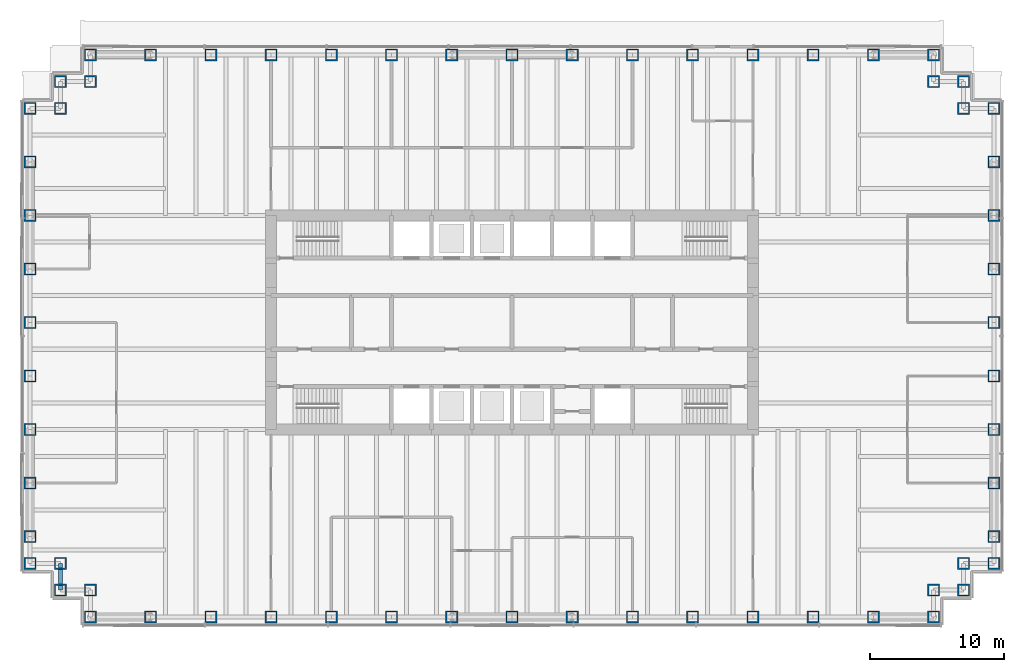
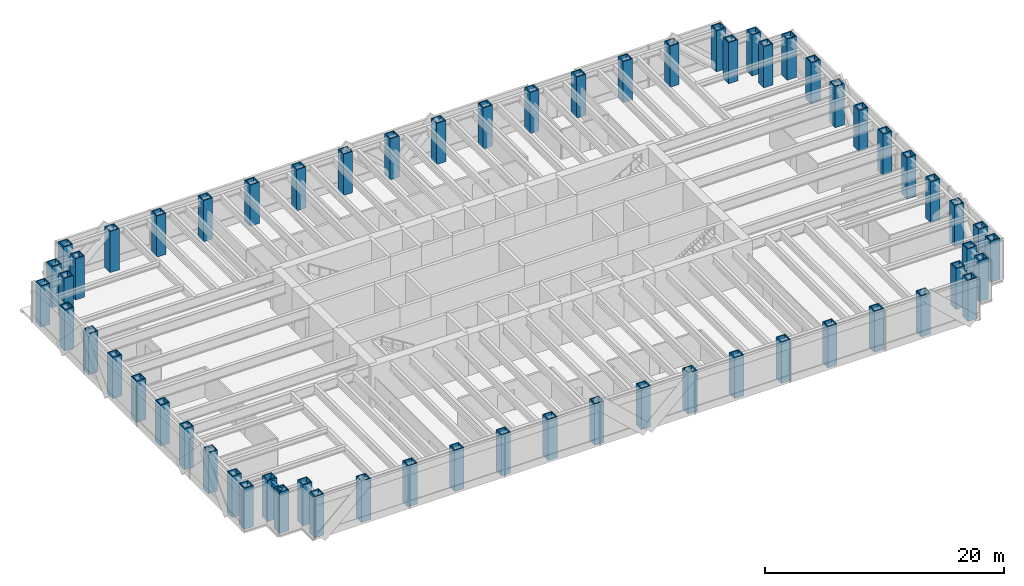
# One storey, part 1 of 14: 62 columns, 1 beam.
"""IFC4 building model written with IfcOpenShell, lengths in metres."""

import ifcopenshell
import ifcopenshell.guid

model = None  # the IFC model being written
_history = None  # IfcOwnerHistory: only IFC2X3 demands one
_inside = {}  # id of a spatial element -> (the spatial element, [elements in it])
_under = {}  # id of a project, library or spatial element -> (it, [spatial elements below it])
_declared = {}  # id of a project -> (the project, [libraries it declares])
_typed = {}  # id of a type object -> (the type object, [elements of that type])
_made_of = {}  # id of a material, layer set ... -> (it, [elements and type objects made of it])


def new_model(schema):
    """Start an empty IFC model of exactly this schema.

    Asked for "IFC4X3", IfcOpenShell would pick the latest addendum, in which some entities
    have other attributes; the version numbers below select the first issue.
    IFC2X3 requires an IfcOwnerHistory on every rooted entity: one is made here for all.
    """
    global model, _history
    if schema == "IFC4X3":
        model = ifcopenshell.file(schema_version=(4, 3, 0, 0))
    else:
        model = ifcopenshell.file(schema=schema)
    _inside.clear()
    _under.clear()
    _declared.clear()
    _typed.clear()
    _made_of.clear()
    _history = None
    if model.schema == "IFC2X3":
        org = make("IfcOrganization", Name="unknown")
        user = make(
            "IfcPersonAndOrganization",
            ThePerson=make("IfcPerson", FamilyName="unknown"),
            TheOrganization=org,
        )
        app = make(
            "IfcApplication",
            ApplicationDeveloper=org,
            Version="unknown",
            ApplicationFullName="unknown",
            ApplicationIdentifier="unknown",
        )
        _history = make(
            "IfcOwnerHistory",
            OwningUser=user,
            OwningApplication=app,
            ChangeAction="ADDED",
            CreationDate=0,
        )
    return model


def make(cls, **values):
    """One entity of the class cls with the attributes given. An attribute that is None is left unset."""
    return model.create_entity(
        cls, **{name: value for name, value in values.items() if value is not None}
    )


def rooted(cls, **values):
    """An entity with a GlobalId (a new one), such as an element, a storey or a relation."""
    return make(cls, GlobalId=ifcopenshell.guid.new(), OwnerHistory=_history, **values)


def si_unit(unit_type, name, prefix=None):
    """IfcSIUnit, for example si_unit("LENGTHUNIT", "METRE", prefix="MILLI")."""
    return make("IfcSIUnit", UnitType=unit_type, Prefix=prefix, Name=name)


def assignment(units):
    """IfcUnitAssignment: the units of a project."""
    return None if units is None else make("IfcUnitAssignment", Units=units)


def point(xyz):
    """IfcCartesianPoint."""
    return None if xyz is None else make("IfcCartesianPoint", Coordinates=xyz)


def direction(xyz):
    """IfcDirection."""
    return None if xyz is None else make("IfcDirection", DirectionRatios=xyz)


def frame(location, z_axis=None, x_axis=None):
    """IfcAxis2Placement3D, a coordinate frame: its origin and axes. An axis left out is left unset."""
    return make(
        "IfcAxis2Placement3D",
        Location=point(location),
        Axis=direction(z_axis),
        RefDirection=direction(x_axis),
    )


def frame_2d(location, x_axis=None):
    """IfcAxis2Placement2D, a coordinate frame in the plane: its origin and x axis."""
    return make(
        "IfcAxis2Placement2D", Location=point(location), RefDirection=direction(x_axis)
    )


def origin():
    """The frame at (0, 0, 0) with its axes left unset."""
    return frame((0.0, 0.0, 0.0))


def origin_2d():
    """The frame at (0, 0) in the plane with its x axis left unset."""
    return frame_2d((0.0, 0.0))


def place(relative_to, where):
    """IfcLocalPlacement: puts the frame where relative to a parent placement (None: the world)."""
    return make(
        "IfcLocalPlacement", PlacementRelTo=relative_to, RelativePlacement=where
    )


def context(
    kind, dimensions, precision=None, world=None, true_north=None, identifier=None
):
    """IfcGeometricRepresentationContext, for example the 3D "Model" context."""
    return make(
        "IfcGeometricRepresentationContext",
        ContextIdentifier=identifier,
        ContextType=kind,
        CoordinateSpaceDimension=dimensions,
        Precision=precision,
        WorldCoordinateSystem=world,
        TrueNorth=true_north,
    )


def subcontext(parent, identifier, kind, view, scale=None):
    """IfcGeometricRepresentationSubContext, for example "Body" below "Model"."""
    return make(
        "IfcGeometricRepresentationSubContext",
        ContextIdentifier=identifier,
        ContextType=kind,
        ParentContext=parent,
        TargetScale=scale,
        TargetView=view,
    )


def project(units=None, contexts=None):
    """IfcProject with its units and contexts."""
    return rooted(
        "IfcProject",
        Name="project",
        RepresentationContexts=contexts,
        UnitsInContext=assignment(units),
    )


def spatial(cls, under=None, at=None, **own):
    """A site, building, storey or space (cls), placed at a placement, below another one or the project."""
    s = rooted(cls, ObjectPlacement=at, **own)
    if under is not None:
        _under.setdefault(under.id(), (under, []))[1].append(s)
    return s


def profile(cls, at=None, kind="AREA", **sizes):
    """A parametric profile (cls). Its sizes go by their IFC names, for example OverallWidth=200.0."""
    return make(cls, ProfileType=kind, Position=at, **sizes)


def hollow_rectangle(**sizes):
    """IfcRectangleHollowProfileDef."""
    return profile("IfcRectangleHollowProfileDef", **sizes)


def i_section(**sizes):
    """IfcIShapeProfileDef."""
    return profile("IfcIShapeProfileDef", **sizes)


def extrude(swept, where, along, depth):
    """IfcExtrudedAreaSolid: the profile swept, set in the frame where, extruded along a direction by depth."""
    return make(
        "IfcExtrudedAreaSolid",
        SweptArea=swept,
        Position=where,
        ExtrudedDirection=direction(along),
        Depth=depth,
    )


def shape(context_of_items, identifier, shape_type, items):
    """IfcShapeRepresentation: the items that make up one representation, for example the "Body"."""
    return make(
        "IfcShapeRepresentation",
        ContextOfItems=context_of_items,
        RepresentationIdentifier=identifier,
        RepresentationType=shape_type,
        Items=items,
    )


def material(Name=None, Category=None):
    """IfcMaterial."""
    return make("IfcMaterial", Name=Name, Category=Category)


def material_profile(
    of_material, cross_section, Name=None, Category=None, Priority=None
):
    """IfcMaterialProfile: a cross section and its material."""
    return make(
        "IfcMaterialProfile",
        Name=Name,
        Material=of_material,
        Profile=cross_section,
        Priority=Priority,
        Category=Category,
    )


def profile_set(profiles, Name=None, composite=None):
    """IfcMaterialProfileSet."""
    return make(
        "IfcMaterialProfileSet",
        Name=Name,
        MaterialProfiles=profiles,
        CompositeProfile=composite,
    )


def made_of(thing, what):
    """Note that an element or type object is made of a material, layer set ...; save() writes the relation."""
    if what is not None:
        _made_of.setdefault(what.id(), (what, []))[1].append(thing)
    return thing


def type_object(cls, material=None, **own):
    """A type object (cls), such as IfcWallType, which elements share."""
    return made_of(rooted(cls, **own), material)


def element(
    cls,
    number,
    at=None,
    inside=None,
    cuts=None,
    type_object=None,
    material=None,
    context=None,
    identifier="Body",
    shape_type=None,
    held_by="IfcProductDefinitionShape",
    body=None,
    shapes=None,
    **own,
):
    """One element of the class cls, such as IfcWall. Its Tag is "e" and its number.

    at: its placement. inside: the storey or other place that contains it. cuts: it is an
    opening in that element (IfcRelVoidsElement). A single representation is given by context,
    identifier, shape_type and body (its items); several are given by shapes. held_by: the class
    of the entity that holds the representations. save() writes the other relations.
    """
    e = rooted(cls, Tag="e%d" % number, ObjectPlacement=at, **own)
    if body is not None:
        shapes = [shape(context, identifier, shape_type, body)]
    if shapes is not None:
        e.Representation = make(held_by, Representations=shapes)
    if inside is not None:
        _inside.setdefault(inside.id(), (inside, []))[1].append(e)
    if cuts is not None:
        rooted(
            "IfcRelVoidsElement", RelatingBuildingElement=cuts, RelatedOpeningElement=e
        )
    if type_object is not None:
        _typed.setdefault(type_object.id(), (type_object, []))[1].append(e)
    return made_of(e, material)


def aggregate(whole, parts):
    """IfcRelAggregates: a whole, such as a stair, and the parts it consists of."""
    return rooted("IfcRelAggregates", RelatingObject=whole, RelatedObjects=parts)


def save(model, path):
    """Write the relations noted so far, then the file.

    IfcRelAggregates (storeys below a building ...), IfcRelContainedInSpatialStructure (elements
    in a storey), IfcRelDefinesByType, IfcRelAssociatesMaterial and IfcRelDeclares: one each for
    every whole, place, type object, material and project.
    """
    for whole, parts in _under.values():
        aggregate(whole, parts)
    for where, things in _inside.values():
        rooted(
            "IfcRelContainedInSpatialStructure",
            RelatedElements=things,
            RelatingStructure=where,
        )
    for kind, things in _typed.values():
        rooted("IfcRelDefinesByType", RelatedObjects=things, RelatingType=kind)
    for what, things in _made_of.values():
        rooted("IfcRelAssociatesMaterial", RelatedObjects=things, RelatingMaterial=what)
    for by, libraries in _declared.values():
        rooted("IfcRelDeclares", RelatingContext=by, RelatedDefinitions=libraries)
    model.write(path)


model = new_model("IFC4")

# Units and contexts
model_context = context("Model", 3, precision=1e-05, world=origin(), true_north=direction((0.0, 1.0)))
body_context = subcontext(model_context, "Body", "Model", "MODEL_VIEW")
ifc_project = project(units=[si_unit("LENGTHUNIT", "METRE"), si_unit("AREAUNIT", "SQUARE_METRE"), si_unit("VOLUMEUNIT", "CUBIC_METRE"), si_unit("PLANEANGLEUNIT", "RADIAN"), si_unit("MASSUNIT", "GRAM", prefix="KILO")], contexts=[model_context])

# Site, building, storey
site_placement = place(None, origin())
site = spatial("IfcSite", under=ifc_project, at=site_placement, CompositionType="ELEMENT")
building_placement = place(site_placement, origin())
building = spatial("IfcBuilding", under=site, at=building_placement, Name="Rheinbord Bourse Tower", CompositionType="ELEMENT")
storey_placement = place(building_placement, frame((0.0, 0.0, 185.800048828125)))
storey = spatial("IfcBuildingStorey", under=building, at=storey_placement, Name="L41", CompositionType="ELEMENT", Elevation=185.800048828125)

# Columns
ifc_material_1 = material(Name="Steel S460M", Category="steel")
ifc_material_profile_1 = material_profile(ifc_material_1, hollow_rectangle(XDim=0.89990234375, YDim=0.89990234375, WallThickness=0.090087890625, at=origin_2d()), Name="BOX 900x900x90")
ifc_profile_set_1 = profile_set([ifc_material_profile_1], Name="Steel S460M")
column_type = type_object("IfcColumnType", Name="TUBE COLUMN BOX 900x900x90", PredefinedType="COLUMN", material=ifc_profile_set_1)
for number, where, z_axis, x_axis, name in (
    (1, (4.5, 2.0, 0.0), (0.0, 0.0, 1.0), (0.0, 1.0, 0.0), "Column SW-E L41"),
    (2, (9.0, 2.0, 0.0), (0.0, 0.0, 1.0), (0.0, 1.0, 0.0), "Column S-9 L41"),
    (3, (13.5, 2.0, 0.0), (0.0, 0.0, 1.0), (0.0, 1.0, 0.0), "Column S-13.5 L41"),
    (4, (18.0, 2.0, 0.0), (0.0, 0.0, 1.0), (0.0, 1.0, 0.0), "Column S-18 L41"),
    (5, (22.5, 2.0, 0.0), (0.0, 0.0, 1.0), (0.0, 1.0, 0.0), "Column S-22.5 L41"),
    (6, (27.0, 2.0, 0.0), (0.0, 0.0, 1.0), (0.0, 1.0, 0.0), "Column S-27 L41"),
    (7, (31.5, 2.0, 0.0), (0.0, 0.0, 1.0), (0.0, 1.0, 0.0), "Column S-31.5 L41"),
    (8, (36.0, 2.0, 0.0), (0.0, 0.0, 1.0), (0.0, 1.0, 0.0), "Column S-36 L41"),
    (9, (40.5, 2.0, 0.0), (0.0, 0.0, 1.0), (0.0, 1.0, 0.0), "Column S-40.5 L41"),
    (10, (45.0, 2.0, 0.0), (0.0, 0.0, 1.0), (0.0, 1.0, 0.0), "Column S-45 L41"),
    (11, (49.5, 2.0, 0.0), (0.0, 0.0, 1.0), (0.0, 1.0, 0.0), "Column S-49.5 L41"),
    (12, (54.0, 2.0, 0.0), (0.0, 0.0, 1.0), (0.0, 1.0, 0.0), "Column S-54 L41"),
    (13, (58.5, 2.0, 0.0), (0.0, 0.0, 1.0), (0.0, 1.0, 0.0), "Column S-58.5 L41"),
    (14, (63.0, 2.0, 0.0), (0.0, 0.0, 1.0), (0.0, 1.0, 0.0), "Column S-63 L41"),
    (15, (67.5, 2.0, 0.0), (0.0, 0.0, 1.0), (0.0, 1.0, 0.0), "Column SE-E L41"),
    (16, (67.5, 4.0, 0.0), (0.0, 0.0, 1.0), (0.0, 1.0, 0.0), "Column SE-D L41"),
    (17, (69.75, 4.0, 0.0), (0.0, 0.0, 1.0), (1.0, 0.0, 0.0), "Column SE-C L41"),
    (18, (69.75, 6.0, 0.0), (0.0, 0.0, 1.0), (1.0, 0.0, 0.0), "Column SE-B L41"),
    (19, (72.0, 6.0, 0.0), (0.0, 0.0, 1.0), (1.0, 0.0, 0.0), "Column SE-A L41"),
    (20, (72.0, 8.0, 0.0), (0.0, 0.0, 1.0), (1.0, 0.0, 0.0), "Column E-8 L41"),
    (21, (72.0, 12.0, 0.0), (0.0, 0.0, 1.0), (1.0, 0.0, 0.0), "Column E-12 L41"),
    (22, (72.0, 16.0, 0.0), (0.0, 0.0, 1.0), (1.0, 0.0, 0.0), "Column E-16 L41"),
    (23, (72.0, 20.0, 0.0), (0.0, 0.0, 1.0), (1.0, 0.0, 0.0), "Column E-20 L41"),
    (24, (72.0, 24.0, 0.0), (0.0, 0.0, 1.0), (1.0, 0.0, 0.0), "Column E-24 L41"),
    (25, (72.0, 28.0, 0.0), (0.0, 0.0, 1.0), (1.0, 0.0, 0.0), "Column E-28 L41"),
    (26, (72.0, 32.0, 0.0), (0.0, 0.0, 1.0), (1.0, 0.0, 0.0), "Column E-32 L41"),
    (27, (72.0, 36.0, 0.0), (0.0, 0.0, 1.0), (1.0, 0.0, 0.0), "Column E-36 L41"),
    (28, (72.0, 40.0, 0.0), (0.0, 0.0, 1.0), (1.0, 0.0, 0.0), "Column NE-A L41"),
    (29, (69.75, 40.0, 0.0), (0.0, 0.0, 1.0), (1.0, 0.0, 0.0), "Column NE-B L41"),
    (30, (69.75, 42.0, 0.0), (0.0, 0.0, 1.0), (1.0, 0.0, 0.0), "Column NE-C L41"),
    (31, (67.5, 42.0, 0.0), (0.0, 0.0, 1.0), (0.0, 1.0, 0.0), "Column NE-D L41"),
    (32, (67.5, 44.0, 0.0), (0.0, 0.0, 1.0), (0.0, 1.0, 0.0), "Column NE-E L41"),
    (33, (63.0, 44.0, 0.0), (0.0, 0.0, 1.0), (0.0, 1.0, 0.0), "Column N-63 L41"),
    (34, (58.5, 44.0, 0.0), (0.0, 0.0, 1.0), (0.0, 1.0, 0.0), "Column N-58.5 L41"),
    (35, (54.0, 44.0, 0.0), (0.0, 0.0, 1.0), (0.0, 1.0, 0.0), "Column N-54 L41"),
    (36, (49.5, 44.0, 0.0), (0.0, 0.0, 1.0), (0.0, 1.0, 0.0), "Column N-49.5 L41"),
    (37, (45.0, 44.0, 0.0), (0.0, 0.0, 1.0), (0.0, 1.0, 0.0), "Column N-45 L41"),
    (38, (40.5, 44.0, 0.0), (0.0, 0.0, 1.0), (0.0, 1.0, 0.0), "Column N-40.5 L41"),
    (39, (36.0, 44.0, 0.0), (0.0, 0.0, 1.0), (0.0, 1.0, 0.0), "Column N-36 L41"),
    (40, (31.5, 44.0, 0.0), (0.0, 0.0, 1.0), (0.0, 1.0, 0.0), "Column N-31.5 L41"),
    (41, (27.0, 44.0, 0.0), (0.0, 0.0, 1.0), (0.0, 1.0, 0.0), "Column N-27 L41"),
    (42, (22.5, 44.0, 0.0), (0.0, 0.0, 1.0), (0.0, 1.0, 0.0), "Column N-22.5 L41"),
    (43, (18.0, 44.0, 0.0), (0.0, 0.0, 1.0), (0.0, 1.0, 0.0), "Column N-18 L41"),
    (44, (13.5, 44.0, 0.0), (0.0, 0.0, 1.0), (0.0, 1.0, 0.0), "Column N-13.5 L41"),
    (45, (9.0, 44.0, 0.0), (0.0, 0.0, 1.0), (0.0, 1.0, 0.0), "Column N-9 L41"),
    (46, (4.5, 44.0, 0.0), (0.0, 0.0, 1.0), (0.0, 1.0, 0.0), "Column NW-E L41"),
    (47, (4.5, 42.0, 0.0), (0.0, 0.0, 1.0), (0.0, 1.0, 0.0), "Column NW-D L41"),
    (48, (2.25, 42.0, 0.0), (0.0, 0.0, 1.0), (1.0, 0.0, 0.0), "Column NW-C L41"),
    (49, (2.25, 40.0, 0.0), (0.0, 0.0, 1.0), (1.0, 0.0, 0.0), "Column NW-B L41"),
    (50, (0.0, 40.0, 0.0), (0.0, 0.0, 1.0), (1.0, 0.0, 0.0), "Column NW-A L41"),
    (51, (0.0, 36.0, 0.0), (0.0, 0.0, 1.0), (1.0, 0.0, 0.0), "Column W-36 L41"),
    (52, (0.0, 32.0, 0.0), (0.0, 0.0, 1.0), (1.0, 0.0, 0.0), "Column W-32 L41"),
    (53, (0.0, 28.0, 0.0), (0.0, 0.0, 1.0), (1.0, 0.0, 0.0), "Column W-28 L41"),
    (54, (0.0, 24.0, 0.0), (0.0, 0.0, 1.0), (1.0, 0.0, 0.0), "Column W-24 L41"),
    (55, (0.0, 20.0, 0.0), (0.0, 0.0, 1.0), (1.0, 0.0, 0.0), "Column W-20 L41"),
    (56, (0.0, 16.0, 0.0), (0.0, 0.0, 1.0), (1.0, 0.0, 0.0), "Column W-16 L41"),
    (57, (0.0, 12.0, 0.0), (0.0, 0.0, 1.0), (1.0, 0.0, 0.0), "Column W-12 L41"),
    (58, (0.0, 8.0, 0.0), (0.0, 0.0, 1.0), (1.0, 0.0, 0.0), "Column W-8 L41"),
    (59, (0.0, 6.0, 0.0), (0.0, 0.0, 1.0), (1.0, 0.0, 0.0), "Column SW-A L41"),
    (60, (2.25, 6.0, 0.0), (0.0, 0.0, 1.0), (1.0, 0.0, 0.0), "Column SW-B L41"),
    (61, (2.25, 4.0, 0.0), (0.0, 0.0, 1.0), (1.0, 0.0, 0.0), "Column SW-C L41"),
    (62, (4.5, 4.0, 0.0), (0.0, 0.0, 1.0), (0.0, 1.0, 0.0), "Column SW-D L41"),
):
    element("IfcColumn", number, at=place(storey_placement, frame(where, z_axis=z_axis, x_axis=x_axis)), inside=storey, type_object=column_type, Name=name, PredefinedType="COLUMN", context=body_context, shape_type="SweptSolid", body=[
        extrude(hollow_rectangle(XDim=0.89990234375, YDim=0.89990234375, WallThickness=0.090087890625, at=origin_2d()), origin(), (0.0, 0.0, 1.0), 4.199951171875),
    ])

# Beam
ifc_material_2 = material(Name="Steel S460", Category="steel")
ifc_material_profile_2 = material_profile(ifc_material_2, i_section(OverallWidth=0.300048828125, OverallDepth=0.60009765625, WebThickness=0.015380859375, FlangeThickness=0.030029296875, at=origin_2d()), Name="HEB 600")
ifc_profile_set_2 = profile_set([ifc_material_profile_2], Name="Steel S460")
beam_type = type_object("IfcBeamType", Name="SPANDREL HEB 600", PredefinedType="SPANDREL", material=ifc_profile_set_2)
beam_placement = place(storey_placement, frame((2.25, 6.0, 3.739990234375), z_axis=(0.0, -1.0, 0.0), x_axis=(1.0, 0.0, 0.0)))
element("IfcBeam", 63, at=beam_placement, inside=storey, type_object=beam_type, Name="Spandrel SW-B-SW-C under L42", PredefinedType="SPANDREL", context=body_context, shape_type="SweptSolid", body=[
    extrude(i_section(OverallWidth=0.300048828125, OverallDepth=0.60009765625, WebThickness=0.015380859375, FlangeThickness=0.030029296875, at=origin_2d()), origin(), (0.0, 0.0, 1.0), 2.0),
])

save(model, "model.ifc")
